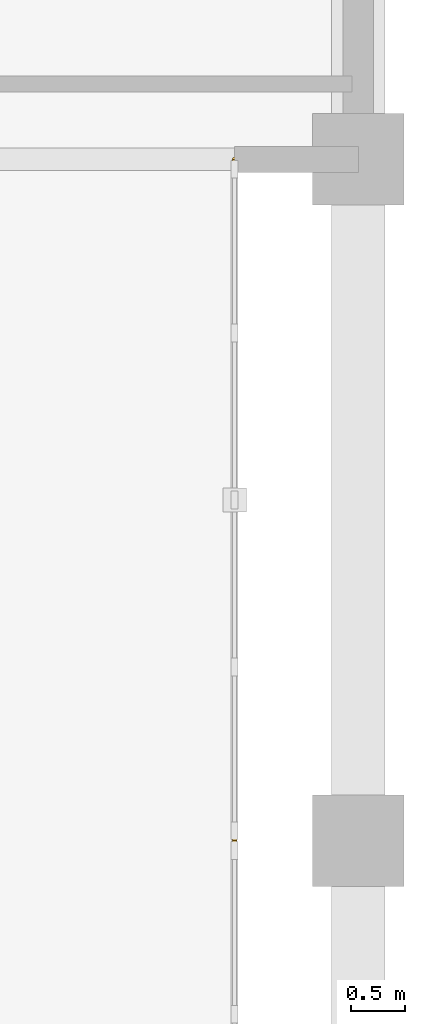
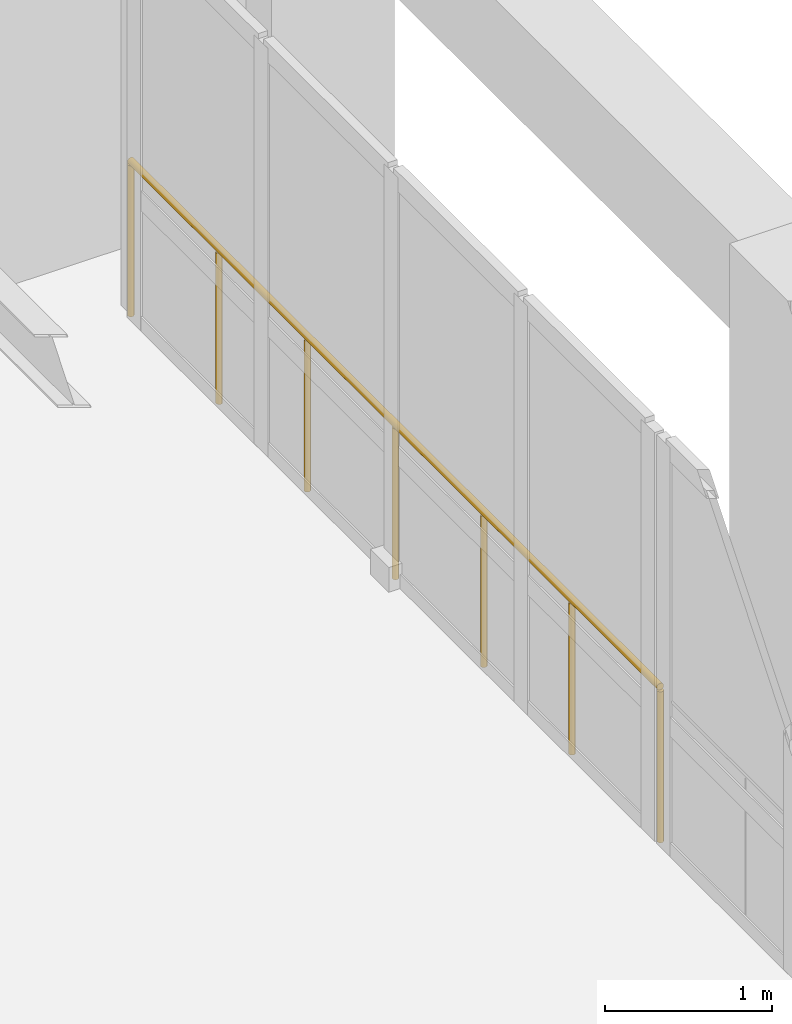
# One storey, part 10 of 10: 1 railing.
"""IFC4 building model written with IfcOpenShell, lengths in metres."""

import ifcopenshell
import ifcopenshell.guid

model = None  # the IFC model being written
_history = None  # IfcOwnerHistory: only IFC2X3 demands one
_inside = {}  # id of a spatial element -> (the spatial element, [elements in it])
_under = {}  # id of a project, library or spatial element -> (it, [spatial elements below it])
_declared = {}  # id of a project -> (the project, [libraries it declares])
_typed = {}  # id of a type object -> (the type object, [elements of that type])
_made_of = {}  # id of a material, layer set ... -> (it, [elements and type objects made of it])


def new_model(schema):
    """Start an empty IFC model of exactly this schema.

    Asked for "IFC4X3", IfcOpenShell would pick the latest addendum, in which some entities
    have other attributes; the version numbers below select the first issue.
    IFC2X3 requires an IfcOwnerHistory on every rooted entity: one is made here for all.
    """
    global model, _history
    if schema == "IFC4X3":
        model = ifcopenshell.file(schema_version=(4, 3, 0, 0))
    else:
        model = ifcopenshell.file(schema=schema)
    _inside.clear()
    _under.clear()
    _declared.clear()
    _typed.clear()
    _made_of.clear()
    _history = None
    if model.schema == "IFC2X3":
        org = make("IfcOrganization", Name="unknown")
        user = make(
            "IfcPersonAndOrganization",
            ThePerson=make("IfcPerson", FamilyName="unknown"),
            TheOrganization=org,
        )
        app = make(
            "IfcApplication",
            ApplicationDeveloper=org,
            Version="unknown",
            ApplicationFullName="unknown",
            ApplicationIdentifier="unknown",
        )
        _history = make(
            "IfcOwnerHistory",
            OwningUser=user,
            OwningApplication=app,
            ChangeAction="ADDED",
            CreationDate=0,
        )
    return model


def make(cls, **values):
    """One entity of the class cls with the attributes given. An attribute that is None is left unset."""
    return model.create_entity(
        cls, **{name: value for name, value in values.items() if value is not None}
    )


def rooted(cls, **values):
    """An entity with a GlobalId (a new one), such as an element, a storey or a relation."""
    return make(cls, GlobalId=ifcopenshell.guid.new(), OwnerHistory=_history, **values)


def si_unit(unit_type, name, prefix=None):
    """IfcSIUnit, for example si_unit("LENGTHUNIT", "METRE", prefix="MILLI")."""
    return make("IfcSIUnit", UnitType=unit_type, Prefix=prefix, Name=name)


def assignment(units):
    """IfcUnitAssignment: the units of a project."""
    return None if units is None else make("IfcUnitAssignment", Units=units)


def point(xyz):
    """IfcCartesianPoint."""
    return None if xyz is None else make("IfcCartesianPoint", Coordinates=xyz)


def direction(xyz):
    """IfcDirection."""
    return None if xyz is None else make("IfcDirection", DirectionRatios=xyz)


def frame(location, z_axis=None, x_axis=None):
    """IfcAxis2Placement3D, a coordinate frame: its origin and axes. An axis left out is left unset."""
    return make(
        "IfcAxis2Placement3D",
        Location=point(location),
        Axis=direction(z_axis),
        RefDirection=direction(x_axis),
    )


def frame_2d(location, x_axis=None):
    """IfcAxis2Placement2D, a coordinate frame in the plane: its origin and x axis."""
    return make(
        "IfcAxis2Placement2D", Location=point(location), RefDirection=direction(x_axis)
    )


def origin():
    """The frame at (0, 0, 0) with its axes left unset."""
    return frame((0.0, 0.0, 0.0))


def origin_2d():
    """The frame at (0, 0) in the plane with its x axis left unset."""
    return frame_2d((0.0, 0.0))


def place(relative_to, where):
    """IfcLocalPlacement: puts the frame where relative to a parent placement (None: the world)."""
    return make(
        "IfcLocalPlacement", PlacementRelTo=relative_to, RelativePlacement=where
    )


def context(
    kind, dimensions, precision=None, world=None, true_north=None, identifier=None
):
    """IfcGeometricRepresentationContext, for example the 3D "Model" context."""
    return make(
        "IfcGeometricRepresentationContext",
        ContextIdentifier=identifier,
        ContextType=kind,
        CoordinateSpaceDimension=dimensions,
        Precision=precision,
        WorldCoordinateSystem=world,
        TrueNorth=true_north,
    )


def subcontext(parent, identifier, kind, view, scale=None):
    """IfcGeometricRepresentationSubContext, for example "Body" below "Model"."""
    return make(
        "IfcGeometricRepresentationSubContext",
        ContextIdentifier=identifier,
        ContextType=kind,
        ParentContext=parent,
        TargetScale=scale,
        TargetView=view,
    )


def project(units=None, contexts=None):
    """IfcProject with its units and contexts."""
    return rooted(
        "IfcProject",
        Name="project",
        RepresentationContexts=contexts,
        UnitsInContext=assignment(units),
    )


def spatial(cls, under=None, at=None, **own):
    """A site, building, storey or space (cls), placed at a placement, below another one or the project."""
    s = rooted(cls, ObjectPlacement=at, **own)
    if under is not None:
        _under.setdefault(under.id(), (under, []))[1].append(s)
    return s


def profile(cls, at=None, kind="AREA", **sizes):
    """A parametric profile (cls). Its sizes go by their IFC names, for example OverallWidth=200.0."""
    return make(cls, ProfileType=kind, Position=at, **sizes)


def circle(**sizes):
    """IfcCircleProfileDef."""
    return profile("IfcCircleProfileDef", **sizes)


def extrude(swept, where, along, depth):
    """IfcExtrudedAreaSolid: the profile swept, set in the frame where, extruded along a direction by depth."""
    return make(
        "IfcExtrudedAreaSolid",
        SweptArea=swept,
        Position=where,
        ExtrudedDirection=direction(along),
        Depth=depth,
    )


def shape(context_of_items, identifier, shape_type, items):
    """IfcShapeRepresentation: the items that make up one representation, for example the "Body"."""
    return make(
        "IfcShapeRepresentation",
        ContextOfItems=context_of_items,
        RepresentationIdentifier=identifier,
        RepresentationType=shape_type,
        Items=items,
    )


def material(Name=None, Category=None):
    """IfcMaterial."""
    return make("IfcMaterial", Name=Name, Category=Category)


def made_of(thing, what):
    """Note that an element or type object is made of a material, layer set ...; save() writes the relation."""
    if what is not None:
        _made_of.setdefault(what.id(), (what, []))[1].append(thing)
    return thing


def type_object(cls, material=None, **own):
    """A type object (cls), such as IfcWallType, which elements share."""
    return made_of(rooted(cls, **own), material)


def element(
    cls,
    number,
    at=None,
    inside=None,
    cuts=None,
    type_object=None,
    material=None,
    context=None,
    identifier="Body",
    shape_type=None,
    held_by="IfcProductDefinitionShape",
    body=None,
    shapes=None,
    **own,
):
    """One element of the class cls, such as IfcWall. Its Tag is "e" and its number.

    at: its placement. inside: the storey or other place that contains it. cuts: it is an
    opening in that element (IfcRelVoidsElement). A single representation is given by context,
    identifier, shape_type and body (its items); several are given by shapes. held_by: the class
    of the entity that holds the representations. save() writes the other relations.
    """
    e = rooted(cls, Tag="e%d" % number, ObjectPlacement=at, **own)
    if body is not None:
        shapes = [shape(context, identifier, shape_type, body)]
    if shapes is not None:
        e.Representation = make(held_by, Representations=shapes)
    if inside is not None:
        _inside.setdefault(inside.id(), (inside, []))[1].append(e)
    if cuts is not None:
        rooted(
            "IfcRelVoidsElement", RelatingBuildingElement=cuts, RelatedOpeningElement=e
        )
    if type_object is not None:
        _typed.setdefault(type_object.id(), (type_object, []))[1].append(e)
    return made_of(e, material)


def aggregate(whole, parts):
    """IfcRelAggregates: a whole, such as a stair, and the parts it consists of."""
    return rooted("IfcRelAggregates", RelatingObject=whole, RelatedObjects=parts)


def save(model, path):
    """Write the relations noted so far, then the file.

    IfcRelAggregates (storeys below a building ...), IfcRelContainedInSpatialStructure (elements
    in a storey), IfcRelDefinesByType, IfcRelAssociatesMaterial and IfcRelDeclares: one each for
    every whole, place, type object, material and project.
    """
    for whole, parts in _under.values():
        aggregate(whole, parts)
    for where, things in _inside.values():
        rooted(
            "IfcRelContainedInSpatialStructure",
            RelatedElements=things,
            RelatingStructure=where,
        )
    for kind, things in _typed.values():
        rooted("IfcRelDefinesByType", RelatedObjects=things, RelatingType=kind)
    for what, things in _made_of.values():
        rooted("IfcRelAssociatesMaterial", RelatedObjects=things, RelatingMaterial=what)
    for by, libraries in _declared.values():
        rooted("IfcRelDeclares", RelatingContext=by, RelatedDefinitions=libraries)
    model.write(path)


model = new_model("IFC4")

# Units and contexts
model_context = context("Model", 3, precision=1e-05, world=origin(), true_north=direction((0.0, 1.0)))
body_context = subcontext(model_context, "Body", "Model", "MODEL_VIEW")
ifc_project = project(units=[si_unit("LENGTHUNIT", "METRE"), si_unit("AREAUNIT", "SQUARE_METRE"), si_unit("VOLUMEUNIT", "CUBIC_METRE"), si_unit("PLANEANGLEUNIT", "RADIAN"), si_unit("MASSUNIT", "GRAM", prefix="KILO")], contexts=[model_context])

# Site, building, storey
site_placement = place(None, origin())
site = spatial("IfcSite", under=ifc_project, at=site_placement, CompositionType="ELEMENT")
building_placement = place(site_placement, origin())
building = spatial("IfcBuilding", under=site, at=building_placement, Name="Nhamokura Convention Tower", CompositionType="ELEMENT")
storey_placement = place(building_placement, frame((0.0, 0.0, 236.949951171875)))
storey = spatial("IfcBuildingStorey", under=building, at=storey_placement, Name="L58", CompositionType="ELEMENT", Elevation=236.949951171875)

# Railing
ifc_material = material(Name="Anodised bronze stainless steel", Category="steel")
railing_type = type_object("IfcRailingType", Name="TerraceGuardrail_1150", PredefinedType="GUARDRAIL", material=ifc_material)
railing_placement = place(storey_placement, frame((55.10009765625, 32.0, 0.0)))
element("IfcRailing", 1, at=railing_placement, inside=storey, type_object=railing_type, Name="L58 Scale-Slot Edge Guardrail EAST 2", PredefinedType="GUARDRAIL", context=body_context, shape_type="SweptSolid", body=[
    extrude(circle(Radius=0.02392578125, at=origin_2d()), frame((0.0, 0.0, 1.1259765625), z_axis=(0.0, -1.0, 0.0), x_axis=(1.0, 0.0, 0.0)), (0.0, 0.0, 1.0), 6.333251953125),
    extrude(circle(Radius=0.02099609375, at=origin_2d()), origin(), (0.0, 0.0, 1.0), 1.101806640625),
    extrude(circle(Radius=0.02099609375, at=origin_2d()), frame((0.0, -1.0556640625, 0.0)), (0.0, 0.0, 1.0), 1.101806640625),
    extrude(circle(Radius=0.02099609375, at=origin_2d()), frame((0.0, -2.111083984375, 0.0)), (0.0, 0.0, 1.0), 1.101806640625),
    extrude(circle(Radius=0.02099609375, at=origin_2d()), frame((0.0, -3.16650390625, 0.0)), (0.0, 0.0, 1.0), 1.101806640625),
    extrude(circle(Radius=0.02099609375, at=origin_2d()), frame((0.0, -4.22216796875, 0.0)), (0.0, 0.0, 1.0), 1.101806640625),
    extrude(circle(Radius=0.02099609375, at=origin_2d()), frame((0.0, -5.27783203125, 0.0)), (0.0, 0.0, 1.0), 1.101806640625),
    extrude(circle(Radius=0.02099609375, at=origin_2d()), frame((0.0, -6.333251953125, 0.0)), (0.0, 0.0, 1.0), 1.101806640625),
])

save(model, "model.ifc")
